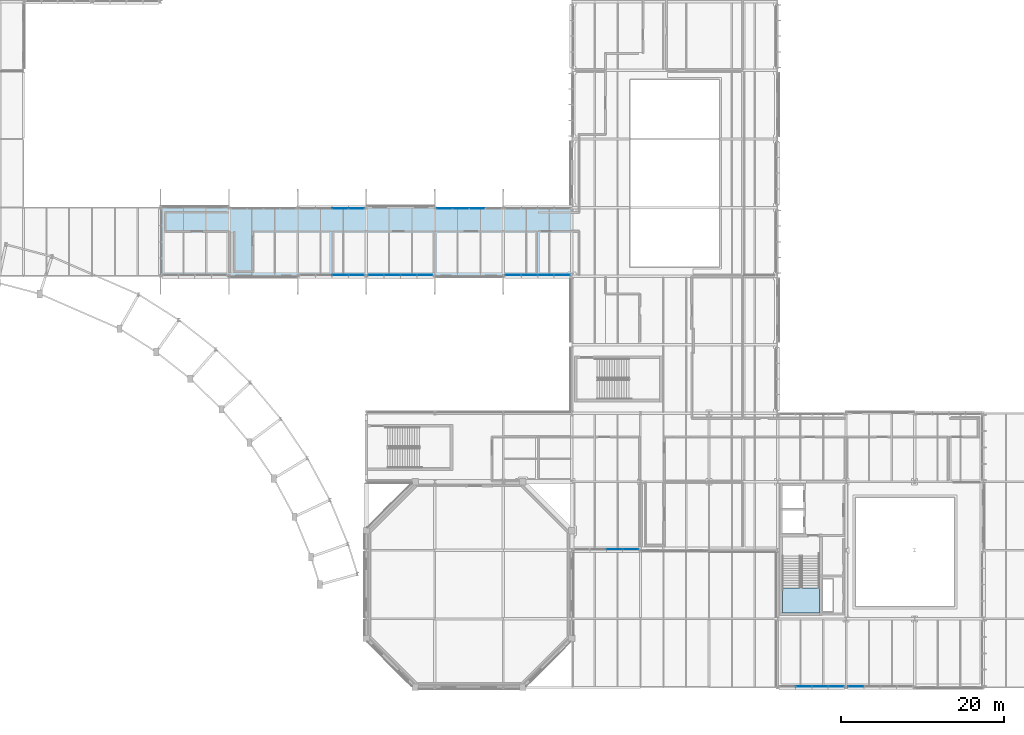
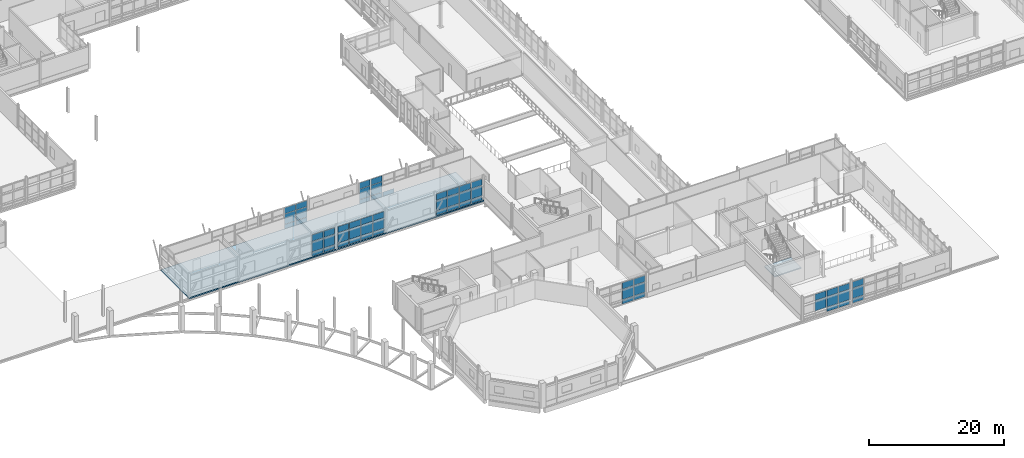
# One storey, part 82 of 129: 60 plates, 2 slabs, 9 elements without a shape of their own.
"""IFC4 building model written with IfcOpenShell, lengths in metres."""

from ifc_helpers import new_model, si_unit, direction, frame, origin, origin_2d, place, context, subcontext, project, spatial, polyline, rectangle, outline, extrude, material, layer, layer_set, type_object, element, aggregate, save


model = new_model("IFC4")

# Units and contexts
model_context = context("Model", 3, precision=1e-05, world=origin(), true_north=direction((0.0, 1.0)))
body_context = subcontext(model_context, "Body", "Model", "MODEL_VIEW")
ifc_project = project(units=[si_unit("LENGTHUNIT", "METRE"), si_unit("AREAUNIT", "SQUARE_METRE"), si_unit("VOLUMEUNIT", "CUBIC_METRE"), si_unit("PLANEANGLEUNIT", "RADIAN"), si_unit("MASSUNIT", "GRAM", prefix="KILO")], contexts=[model_context])

# Site, building, storey
site_placement = place(None, origin())
site = spatial("IfcSite", under=ifc_project, at=site_placement, CompositionType="ELEMENT")
building_placement = place(site_placement, origin())
building = spatial("IfcBuilding", under=site, at=building_placement, Name="Mersafa Astral City Hall", CompositionType="ELEMENT")
storey_placement = place(building_placement, frame((0.0, 0.0, 5.39990234375)))
storey = spatial("IfcBuildingStorey", under=building, at=storey_placement, Name="L01", CompositionType="ELEMENT", Elevation=5.39990234375)

# Curtain wall, plates
ifc_material_1 = material(Name="Anodised bronze aluminium framing", Category="aluminium")
curtain_wall_type_1 = type_object("IfcCurtainWallType", Name="ENV-CW-1", PredefinedType="USERDEFINED", material=ifc_material_1)
curtain_wall_1_placement = place(storey_placement, origin())
curtain_wall_1 = element("IfcCurtainWall", 1, at=curtain_wall_1_placement, inside=storey, type_object=curtain_wall_type_1, Name="L01 Unitised solar curtain wall 96", ObjectType="UNITISED CURTAIN WALL", PredefinedType="USERDEFINED")
ifc_material_2 = material(Name="Solar control low-e double glazing", Category="glass")
ifc_layer_1 = layer(ifc_material_2, 0.028076171875, Name="Solar control low-e double glazing")
ifc_layer_set_1 = layer_set([ifc_layer_1], Name="Solar control low-e double glazing — ENV-CW-PNL-GLZ-1")
plate_type_1 = type_object("IfcPlateType", Name="ENV-CW-PNL-GLZ-1", PredefinedType="CURTAIN_PANEL", material=ifc_layer_set_1)
plate_1_placement = place(storey_placement, frame((80.8095703125, 58.679931640625, 0.05810546875), z_axis=(0.0, 0.0, 1.0), x_axis=(-1.0, 0.0, 0.0)))
plate_1 = element("IfcPlate", 2, at=plate_1_placement, type_object=plate_type_1, Name="CW-1 panel 2.1", PredefinedType="CURTAIN_PANEL", context=body_context, shape_type="SweptSolid", body=[
    extrude(rectangle(XDim=1.89892578125, YDim=0.028076171875, at=origin_2d()), origin(), (0.0, 0.0, 1.0), 0.761962890625),
])
plate_2_placement = place(storey_placement, frame((78.79052734375, 58.679931640625, 0.05810546875), z_axis=(0.0, 0.0, 1.0), x_axis=(-1.0, 0.0, 0.0)))
plate_2 = element("IfcPlate", 3, at=plate_2_placement, type_object=plate_type_1, Name="CW-1 panel 3.1", PredefinedType="CURTAIN_PANEL", context=body_context, shape_type="SweptSolid", body=[
    extrude(rectangle(XDim=1.89892578125, YDim=0.028076171875, at=origin_2d()), origin(), (0.0, 0.0, 1.0), 0.761962890625),
])
plate_3_placement = place(storey_placement, frame((78.79052734375, 58.679931640625, 0.8798828125), z_axis=(0.0, 0.0, 1.0), x_axis=(-1.0, 0.0, 0.0)))
plate_3 = element("IfcPlate", 4, at=plate_3_placement, type_object=plate_type_1, Name="CW-1 panel 3.2", PredefinedType="CURTAIN_PANEL", context=body_context, shape_type="SweptSolid", body=[
    extrude(rectangle(XDim=1.89892578125, YDim=0.028076171875, at=origin_2d()), origin(), (0.0, 0.0, 1.0), 1.840087890625),
])
plate_4_placement = place(storey_placement, frame((78.79052734375, 58.679931640625, 2.7802734375), z_axis=(0.0, 0.0, 1.0), x_axis=(-1.0, 0.0, 0.0)))
plate_4 = element("IfcPlate", 5, at=plate_4_placement, type_object=plate_type_1, Name="CW-1 panel 3.3", PredefinedType="CURTAIN_PANEL", context=body_context, shape_type="SweptSolid", body=[
    extrude(rectangle(XDim=1.89892578125, YDim=0.028076171875, at=origin_2d()), origin(), (0.0, 0.0, 1.0), 1.096923828125),
])
plate_5_placement = place(storey_placement, frame((76.801513671875, 58.679931640625, 0.05810546875), z_axis=(0.0, 0.0, 1.0), x_axis=(-1.0, 0.0, 0.0)))
plate_5 = element("IfcPlate", 6, at=plate_5_placement, type_object=plate_type_1, Name="CW-1 panel 4.1", PredefinedType="CURTAIN_PANEL", context=body_context, shape_type="SweptSolid", body=[
    extrude(rectangle(XDim=1.839111328125, YDim=0.028076171875, at=origin_2d()), origin(), (0.0, 0.0, 1.0), 0.761962890625),
])
plate_6_placement = place(storey_placement, frame((76.801513671875, 58.679931640625, 0.8798828125), z_axis=(0.0, 0.0, 1.0), x_axis=(-1.0, 0.0, 0.0)))
plate_6 = element("IfcPlate", 7, at=plate_6_placement, type_object=plate_type_1, Name="CW-1 panel 4.2", PredefinedType="CURTAIN_PANEL", context=body_context, shape_type="SweptSolid", body=[
    extrude(rectangle(XDim=1.839111328125, YDim=0.028076171875, at=origin_2d()), origin(), (0.0, 0.0, 1.0), 1.840087890625),
])
plate_7_placement = place(storey_placement, frame((76.801513671875, 58.679931640625, 2.7802734375), z_axis=(0.0, 0.0, 1.0), x_axis=(-1.0, 0.0, 0.0)))
plate_7 = element("IfcPlate", 8, at=plate_7_placement, type_object=plate_type_1, Name="CW-1 panel 4.3", PredefinedType="CURTAIN_PANEL", context=body_context, shape_type="SweptSolid", body=[
    extrude(rectangle(XDim=1.839111328125, YDim=0.028076171875, at=origin_2d()), origin(), (0.0, 0.0, 1.0), 1.096923828125),
])
aggregate(curtain_wall_1, [plate_1, plate_2, plate_3, plate_4, plate_5, plate_6, plate_7])

curtain_wall_type_2 = type_object("IfcCurtainWallType", Name="ENV-CW-4", PredefinedType="USERDEFINED", material=ifc_material_1)
curtain_wall_2_placement = place(storey_placement, origin())
curtain_wall_2 = element("IfcCurtainWall", 9, at=curtain_wall_2_placement, inside=storey, type_object=curtain_wall_type_2, Name="L01 Unitised solar curtain wall 45", ObjectType="UNITISED CURTAIN WALL", PredefinedType="USERDEFINED")
ifc_layer_2 = layer(ifc_material_2, 0.031982421875, Name="Solar control low-e double glazing")
ifc_layer_set_2 = layer_set([ifc_layer_2], Name="Solar control low-e double glazing — ENV-CW-PNL-GLZ-2")
plate_type_2 = type_object("IfcPlateType", Name="ENV-CW-PNL-GLZ-2", PredefinedType="CURTAIN_PANEL", material=ifc_layer_set_2)
plate_8_placement = place(storey_placement, frame((97.609619140625, 16.919921875, 0.05810546875), z_axis=(0.0, 0.0, 1.0), x_axis=(1.0, 0.0, 0.0)))
plate_8 = element("IfcPlate", 10, at=plate_8_placement, type_object=plate_type_2, Name="CW-4 panel 3.1", PredefinedType="CURTAIN_PANEL", context=body_context, shape_type="SweptSolid", body=[
    extrude(rectangle(XDim=1.89892578125, YDim=0.031982421875, at=origin_2d()), origin(), (0.0, 0.0, 1.0), 0.761962890625),
])
plate_9_placement = place(storey_placement, frame((97.609619140625, 16.919921875, 0.8798828125), z_axis=(0.0, 0.0, 1.0), x_axis=(1.0, 0.0, 0.0)))
plate_9 = element("IfcPlate", 11, at=plate_9_placement, type_object=plate_type_2, Name="CW-4 panel 3.2", PredefinedType="CURTAIN_PANEL", context=body_context, shape_type="SweptSolid", body=[
    extrude(rectangle(XDim=1.89892578125, YDim=0.031982421875, at=origin_2d()), origin(), (0.0, 0.0, 1.0), 1.840087890625),
])
plate_10_placement = place(storey_placement, frame((97.609619140625, 16.919921875, 2.780029296875), z_axis=(0.0, 0.0, 1.0), x_axis=(1.0, 0.0, 0.0)))
plate_10 = element("IfcPlate", 12, at=plate_10_placement, type_object=plate_type_2, Name="CW-4 panel 3.3", PredefinedType="CURTAIN_PANEL", context=body_context, shape_type="SweptSolid", body=[
    extrude(rectangle(XDim=1.89892578125, YDim=0.031982421875, at=origin_2d()), origin(), (0.0, 0.0, 1.0), 1.126953125),
])
plate_11_placement = place(storey_placement, frame((99.598388671875, 16.919921875, 0.05810546875), z_axis=(0.0, 0.0, 1.0), x_axis=(1.0, 0.0, 0.0)))
plate_11 = element("IfcPlate", 13, at=plate_11_placement, type_object=plate_type_2, Name="CW-4 panel 4.1", PredefinedType="CURTAIN_PANEL", context=body_context, shape_type="SweptSolid", body=[
    extrude(rectangle(XDim=1.839111328125, YDim=0.031982421875, at=origin_2d()), origin(), (0.0, 0.0, 1.0), 0.761962890625),
])
plate_12_placement = place(storey_placement, frame((99.598388671875, 16.919921875, 0.8798828125), z_axis=(0.0, 0.0, 1.0), x_axis=(1.0, 0.0, 0.0)))
plate_12 = element("IfcPlate", 14, at=plate_12_placement, type_object=plate_type_2, Name="CW-4 panel 4.2", PredefinedType="CURTAIN_PANEL", context=body_context, shape_type="SweptSolid", body=[
    extrude(rectangle(XDim=1.839111328125, YDim=0.031982421875, at=origin_2d()), origin(), (0.0, 0.0, 1.0), 1.840087890625),
])
plate_13_placement = place(storey_placement, frame((99.598388671875, 16.919921875, 2.780029296875), z_axis=(0.0, 0.0, 1.0), x_axis=(1.0, 0.0, 0.0)))
plate_13 = element("IfcPlate", 15, at=plate_13_placement, type_object=plate_type_2, Name="CW-4 panel 4.3", PredefinedType="CURTAIN_PANEL", context=body_context, shape_type="SweptSolid", body=[
    extrude(rectangle(XDim=1.839111328125, YDim=0.031982421875, at=origin_2d()), origin(), (0.0, 0.0, 1.0), 1.126953125),
])
aggregate(curtain_wall_2, [plate_8, plate_9, plate_10, plate_11, plate_12, plate_13])

curtain_wall_type_3 = type_object("IfcCurtainWallType", Name="ENV-CW-2", PredefinedType="USERDEFINED", material=ifc_material_1)
curtain_wall_3_placement = place(storey_placement, origin())
curtain_wall_3 = element("IfcCurtainWall", 16, at=curtain_wall_3_placement, inside=storey, type_object=curtain_wall_type_3, Name="L01 Unitised solar curtain wall 97", ObjectType="UNITISED CURTAIN WALL", PredefinedType="USERDEFINED")
plate_14_placement = place(storey_placement, frame((65.99853515625, 58.679931640625, 0.05810546875), z_axis=(0.0, 0.0, 1.0), x_axis=(-1.0, 0.0, 0.0)))
plate_14 = element("IfcPlate", 17, at=plate_14_placement, type_object=plate_type_2, Name="CW-2 panel 1.1", PredefinedType="CURTAIN_PANEL", context=body_context, shape_type="SweptSolid", body=[
    extrude(rectangle(XDim=1.839111328125, YDim=0.031982421875, at=origin_2d()), origin(), (0.0, 0.0, 1.0), 0.761962890625),
])
plate_15_placement = place(storey_placement, frame((65.99853515625, 58.679931640625, 0.8798828125), z_axis=(0.0, 0.0, 1.0), x_axis=(-1.0, 0.0, 0.0)))
plate_15 = element("IfcPlate", 18, at=plate_15_placement, type_object=plate_type_2, Name="CW-2 panel 1.2", PredefinedType="CURTAIN_PANEL", context=body_context, shape_type="SweptSolid", body=[
    extrude(rectangle(XDim=1.839111328125, YDim=0.031982421875, at=origin_2d()), origin(), (0.0, 0.0, 1.0), 1.840087890625),
])
plate_16_placement = place(storey_placement, frame((65.99853515625, 58.679931640625, 2.7802734375), z_axis=(0.0, 0.0, 1.0), x_axis=(-1.0, 0.0, 0.0)))
plate_16 = element("IfcPlate", 19, at=plate_16_placement, type_object=plate_type_2, Name="CW-2 panel 1.3", PredefinedType="CURTAIN_PANEL", context=body_context, shape_type="SweptSolid", body=[
    extrude(rectangle(XDim=1.839111328125, YDim=0.031982421875, at=origin_2d()), origin(), (0.0, 0.0, 1.0), 1.096923828125),
])
plate_17_placement = place(storey_placement, frame((64.009521484375, 58.679931640625, 0.05810546875), z_axis=(0.0, 0.0, 1.0), x_axis=(-1.0, 0.0, 0.0)))
plate_17 = element("IfcPlate", 20, at=plate_17_placement, type_object=plate_type_2, Name="CW-2 panel 2.1", PredefinedType="CURTAIN_PANEL", context=body_context, shape_type="SweptSolid", body=[
    extrude(rectangle(XDim=1.89892578125, YDim=0.031982421875, at=origin_2d()), origin(), (0.0, 0.0, 1.0), 0.761962890625),
])
plate_18_placement = place(storey_placement, frame((64.009521484375, 58.679931640625, 0.8798828125), z_axis=(0.0, 0.0, 1.0), x_axis=(-1.0, 0.0, 0.0)))
plate_18 = element("IfcPlate", 21, at=plate_18_placement, type_object=plate_type_2, Name="CW-2 panel 2.2", PredefinedType="CURTAIN_PANEL", context=body_context, shape_type="SweptSolid", body=[
    extrude(rectangle(XDim=1.89892578125, YDim=0.031982421875, at=origin_2d()), origin(), (0.0, 0.0, 1.0), 1.840087890625),
])
plate_19_placement = place(storey_placement, frame((64.009521484375, 58.679931640625, 2.7802734375), z_axis=(0.0, 0.0, 1.0), x_axis=(-1.0, 0.0, 0.0)))
plate_19 = element("IfcPlate", 22, at=plate_19_placement, type_object=plate_type_2, Name="CW-2 panel 2.3", PredefinedType="CURTAIN_PANEL", context=body_context, shape_type="SweptSolid", body=[
    extrude(rectangle(XDim=1.89892578125, YDim=0.031982421875, at=origin_2d()), origin(), (0.0, 0.0, 1.0), 1.096923828125),
])
aggregate(curtain_wall_3, [plate_14, plate_15, plate_16, plate_17, plate_18, plate_19])

curtain_wall_type_4 = type_object("IfcCurtainWallType", Name="ENV-CW-6", PredefinedType="USERDEFINED", material=ifc_material_1)
curtain_wall_4_placement = place(storey_placement, origin())
curtain_wall_4 = element("IfcCurtainWall", 23, at=curtain_wall_4_placement, inside=storey, type_object=curtain_wall_type_4, Name="L01 Unitised solar curtain wall 101", ObjectType="UNITISED CURTAIN WALL", PredefinedType="USERDEFINED")
plate_20_placement = place(storey_placement, frame((64.009521484375, 50.52001953125, 0.05810546875), z_axis=(0.0, 0.0, 1.0), x_axis=(1.0, 0.0, 0.0)))
plate_20 = element("IfcPlate", 24, at=plate_20_placement, type_object=plate_type_2, Name="CW-6 panel 3.1", PredefinedType="CURTAIN_PANEL", context=body_context, shape_type="SweptSolid", body=[
    extrude(rectangle(XDim=1.89892578125, YDim=0.031982421875, at=origin_2d()), origin(), (0.0, 0.0, 1.0), 0.761962890625),
])
plate_21_placement = place(storey_placement, frame((64.009521484375, 50.52001953125, 0.8798828125), z_axis=(0.0, 0.0, 1.0), x_axis=(1.0, 0.0, 0.0)))
plate_21 = element("IfcPlate", 25, at=plate_21_placement, type_object=plate_type_2, Name="CW-6 panel 3.2", PredefinedType="CURTAIN_PANEL", context=body_context, shape_type="SweptSolid", body=[
    extrude(rectangle(XDim=1.89892578125, YDim=0.031982421875, at=origin_2d()), origin(), (0.0, 0.0, 1.0), 1.840087890625),
])
plate_22_placement = place(storey_placement, frame((64.009521484375, 50.52001953125, 2.780029296875), z_axis=(0.0, 0.0, 1.0), x_axis=(1.0, 0.0, 0.0)))
plate_22 = element("IfcPlate", 26, at=plate_22_placement, type_object=plate_type_2, Name="CW-6 panel 3.3", PredefinedType="CURTAIN_PANEL", context=body_context, shape_type="SweptSolid", body=[
    extrude(rectangle(XDim=1.89892578125, YDim=0.031982421875, at=origin_2d()), origin(), (0.0, 0.0, 1.0), 1.126953125),
])
plate_23_placement = place(storey_placement, frame((65.99853515625, 50.52001953125, 0.05810546875), z_axis=(0.0, 0.0, 1.0), x_axis=(1.0, 0.0, 0.0)))
plate_23 = element("IfcPlate", 27, at=plate_23_placement, type_object=plate_type_2, Name="CW-6 panel 4.1", PredefinedType="CURTAIN_PANEL", context=body_context, shape_type="SweptSolid", body=[
    extrude(rectangle(XDim=1.839111328125, YDim=0.031982421875, at=origin_2d()), origin(), (0.0, 0.0, 1.0), 0.761962890625),
])
plate_24_placement = place(storey_placement, frame((65.99853515625, 50.52001953125, 0.8798828125), z_axis=(0.0, 0.0, 1.0), x_axis=(1.0, 0.0, 0.0)))
plate_24 = element("IfcPlate", 28, at=plate_24_placement, type_object=plate_type_2, Name="CW-6 panel 4.2", PredefinedType="CURTAIN_PANEL", context=body_context, shape_type="SweptSolid", body=[
    extrude(rectangle(XDim=1.839111328125, YDim=0.031982421875, at=origin_2d()), origin(), (0.0, 0.0, 1.0), 1.840087890625),
])
plate_25_placement = place(storey_placement, frame((65.99853515625, 50.52001953125, 2.780029296875), z_axis=(0.0, 0.0, 1.0), x_axis=(1.0, 0.0, 0.0)))
plate_25 = element("IfcPlate", 29, at=plate_25_placement, type_object=plate_type_2, Name="CW-6 panel 4.3", PredefinedType="CURTAIN_PANEL", context=body_context, shape_type="SweptSolid", body=[
    extrude(rectangle(XDim=1.839111328125, YDim=0.031982421875, at=origin_2d()), origin(), (0.0, 0.0, 1.0), 1.126953125),
])
aggregate(curtain_wall_4, [plate_20, plate_21, plate_22, plate_23, plate_24, plate_25])

curtain_wall_type_5 = type_object("IfcCurtainWallType", Name="ENV-CW-5", PredefinedType="USERDEFINED", material=ifc_material_1)
curtain_wall_5_placement = place(storey_placement, origin())
curtain_wall_5 = element("IfcCurtainWall", 30, at=curtain_wall_5_placement, inside=storey, type_object=curtain_wall_type_5, Name="L01 Unitised solar curtain wall 46", ObjectType="UNITISED CURTAIN WALL", PredefinedType="USERDEFINED")
ifc_layer_3 = layer(ifc_material_2, 0.035888671875, Name="Solar control low-e double glazing")
ifc_layer_set_3 = layer_set([ifc_layer_3], Name="Solar control low-e double glazing — ENV-CW-PNL-GLZ-3")
plate_type_3 = type_object("IfcPlateType", Name="ENV-CW-PNL-GLZ-3", PredefinedType="CURTAIN_PANEL", material=ifc_layer_set_3)
plate_26_placement = place(storey_placement, frame((120.79052734375, 0.1201171875, 0.8798828125), z_axis=(0.0, 0.0, 1.0), x_axis=(1.0, 0.0, 0.0)))
plate_26 = element("IfcPlate", 31, at=plate_26_placement, type_object=plate_type_3, Name="CW-5 panel 2.2", PredefinedType="CURTAIN_PANEL", context=body_context, shape_type="SweptSolid", body=[
    extrude(rectangle(XDim=1.89892578125, YDim=0.035888671875, at=origin_2d()), origin(), (0.0, 0.0, 1.0), 1.840087890625),
])
plate_27_placement = place(storey_placement, frame((120.79052734375, 0.1201171875, 2.7802734375), z_axis=(0.0, 0.0, 1.0), x_axis=(1.0, 0.0, 0.0)))
plate_27 = element("IfcPlate", 32, at=plate_27_placement, type_object=plate_type_3, Name="CW-5 panel 2.3", PredefinedType="CURTAIN_PANEL", context=body_context, shape_type="SweptSolid", body=[
    extrude(rectangle(XDim=1.89892578125, YDim=0.035888671875, at=origin_2d()), origin(), (0.0, 0.0, 1.0), 1.096923828125),
])
plate_28_placement = place(storey_placement, frame((122.8095703125, 0.1201171875, 0.05810546875), z_axis=(0.0, 0.0, 1.0), x_axis=(1.0, 0.0, 0.0)))
plate_28 = element("IfcPlate", 33, at=plate_28_placement, type_object=plate_type_3, Name="CW-5 panel 3.1", PredefinedType="CURTAIN_PANEL", context=body_context, shape_type="SweptSolid", body=[
    extrude(rectangle(XDim=1.89892578125, YDim=0.035888671875, at=origin_2d()), origin(), (0.0, 0.0, 1.0), 0.761962890625),
])
plate_29_placement = place(storey_placement, frame((122.8095703125, 0.1201171875, 0.8798828125), z_axis=(0.0, 0.0, 1.0), x_axis=(1.0, 0.0, 0.0)))
plate_29 = element("IfcPlate", 34, at=plate_29_placement, type_object=plate_type_3, Name="CW-5 panel 3.2", PredefinedType="CURTAIN_PANEL", context=body_context, shape_type="SweptSolid", body=[
    extrude(rectangle(XDim=1.89892578125, YDim=0.035888671875, at=origin_2d()), origin(), (0.0, 0.0, 1.0), 1.840087890625),
])
plate_30_placement = place(storey_placement, frame((122.8095703125, 0.1201171875, 2.7802734375), z_axis=(0.0, 0.0, 1.0), x_axis=(1.0, 0.0, 0.0)))
plate_30 = element("IfcPlate", 35, at=plate_30_placement, type_object=plate_type_3, Name="CW-5 panel 3.3", PredefinedType="CURTAIN_PANEL", context=body_context, shape_type="SweptSolid", body=[
    extrude(rectangle(XDim=1.89892578125, YDim=0.035888671875, at=origin_2d()), origin(), (0.0, 0.0, 1.0), 1.096923828125),
])
plate_31_placement = place(storey_placement, frame((124.798583984375, 0.1201171875, 0.05810546875), z_axis=(0.0, 0.0, 1.0), x_axis=(1.0, 0.0, 0.0)))
plate_31 = element("IfcPlate", 36, at=plate_31_placement, type_object=plate_type_3, Name="CW-5 panel 4.1", PredefinedType="CURTAIN_PANEL", context=body_context, shape_type="SweptSolid", body=[
    extrude(rectangle(XDim=1.839111328125, YDim=0.035888671875, at=origin_2d()), origin(), (0.0, 0.0, 1.0), 0.761962890625),
])
plate_32_placement = place(storey_placement, frame((124.798583984375, 0.1201171875, 0.8798828125), z_axis=(0.0, 0.0, 1.0), x_axis=(1.0, 0.0, 0.0)))
plate_32 = element("IfcPlate", 37, at=plate_32_placement, type_object=plate_type_3, Name="CW-5 panel 4.2", PredefinedType="CURTAIN_PANEL", context=body_context, shape_type="SweptSolid", body=[
    extrude(rectangle(XDim=1.839111328125, YDim=0.035888671875, at=origin_2d()), origin(), (0.0, 0.0, 1.0), 1.840087890625),
])
plate_33_placement = place(storey_placement, frame((124.798583984375, 0.1201171875, 2.7802734375), z_axis=(0.0, 0.0, 1.0), x_axis=(1.0, 0.0, 0.0)))
plate_33 = element("IfcPlate", 38, at=plate_33_placement, type_object=plate_type_3, Name="CW-5 panel 4.3", PredefinedType="CURTAIN_PANEL", context=body_context, shape_type="SweptSolid", body=[
    extrude(rectangle(XDim=1.839111328125, YDim=0.035888671875, at=origin_2d()), origin(), (0.0, 0.0, 1.0), 1.096923828125),
])
aggregate(curtain_wall_5, [plate_26, plate_27, plate_28, plate_29, plate_30, plate_31, plate_32, plate_33])

curtain_wall_6_placement = place(storey_placement, origin())
curtain_wall_6 = element("IfcCurtainWall", 39, at=curtain_wall_6_placement, inside=storey, type_object=curtain_wall_type_1, Name="L01 Unitised solar curtain wall 102", ObjectType="UNITISED CURTAIN WALL", PredefinedType="USERDEFINED")
plate_34_placement = place(storey_placement, frame((68.401611328125, 50.52001953125, 0.05810546875), z_axis=(0.0, 0.0, 1.0), x_axis=(1.0, 0.0, 0.0)))
plate_34 = element("IfcPlate", 40, at=plate_34_placement, type_object=plate_type_3, Name="CW-1 panel 1.1", PredefinedType="CURTAIN_PANEL", context=body_context, shape_type="SweptSolid", body=[
    extrude(rectangle(XDim=1.839111328125, YDim=0.035888671875, at=origin_2d()), origin(), (0.0, 0.0, 1.0), 0.761962890625),
])
plate_35_placement = place(storey_placement, frame((68.401611328125, 50.52001953125, 0.8798828125), z_axis=(0.0, 0.0, 1.0), x_axis=(1.0, 0.0, 0.0)))
plate_35 = element("IfcPlate", 41, at=plate_35_placement, type_object=plate_type_3, Name="CW-1 panel 1.2", PredefinedType="CURTAIN_PANEL", context=body_context, shape_type="SweptSolid", body=[
    extrude(rectangle(XDim=1.839111328125, YDim=0.035888671875, at=origin_2d()), origin(), (0.0, 0.0, 1.0), 1.840087890625),
])
plate_36_placement = place(storey_placement, frame((68.401611328125, 50.52001953125, 2.7802734375), z_axis=(0.0, 0.0, 1.0), x_axis=(1.0, 0.0, 0.0)))
plate_36 = element("IfcPlate", 42, at=plate_36_placement, type_object=plate_type_3, Name="CW-1 panel 1.3", PredefinedType="CURTAIN_PANEL", context=body_context, shape_type="SweptSolid", body=[
    extrude(rectangle(XDim=1.839111328125, YDim=0.035888671875, at=origin_2d()), origin(), (0.0, 0.0, 1.0), 1.096923828125),
])
plate_37_placement = place(storey_placement, frame((70.390380859375, 50.52001953125, 0.05810546875), z_axis=(0.0, 0.0, 1.0), x_axis=(1.0, 0.0, 0.0)))
plate_37 = element("IfcPlate", 43, at=plate_37_placement, type_object=plate_type_3, Name="CW-1 panel 2.1", PredefinedType="CURTAIN_PANEL", context=body_context, shape_type="SweptSolid", body=[
    extrude(rectangle(XDim=1.89892578125, YDim=0.035888671875, at=origin_2d()), origin(), (0.0, 0.0, 1.0), 0.761962890625),
])
plate_38_placement = place(storey_placement, frame((70.390380859375, 50.52001953125, 0.8798828125), z_axis=(0.0, 0.0, 1.0), x_axis=(1.0, 0.0, 0.0)))
plate_38 = element("IfcPlate", 44, at=plate_38_placement, type_object=plate_type_3, Name="CW-1 panel 2.2", PredefinedType="CURTAIN_PANEL", context=body_context, shape_type="SweptSolid", body=[
    extrude(rectangle(XDim=1.89892578125, YDim=0.035888671875, at=origin_2d()), origin(), (0.0, 0.0, 1.0), 1.840087890625),
])
plate_39_placement = place(storey_placement, frame((70.390380859375, 50.52001953125, 2.7802734375), z_axis=(0.0, 0.0, 1.0), x_axis=(1.0, 0.0, 0.0)))
plate_39 = element("IfcPlate", 45, at=plate_39_placement, type_object=plate_type_3, Name="CW-1 panel 2.3", PredefinedType="CURTAIN_PANEL", context=body_context, shape_type="SweptSolid", body=[
    extrude(rectangle(XDim=1.89892578125, YDim=0.035888671875, at=origin_2d()), origin(), (0.0, 0.0, 1.0), 1.096923828125),
])
plate_40_placement = place(storey_placement, frame((72.409423828125, 50.52001953125, 0.05810546875), z_axis=(0.0, 0.0, 1.0), x_axis=(1.0, 0.0, 0.0)))
plate_40 = element("IfcPlate", 46, at=plate_40_placement, type_object=plate_type_3, Name="CW-1 panel 3.1", PredefinedType="CURTAIN_PANEL", context=body_context, shape_type="SweptSolid", body=[
    extrude(rectangle(XDim=1.89892578125, YDim=0.035888671875, at=origin_2d()), origin(), (0.0, 0.0, 1.0), 0.761962890625),
])
plate_41_placement = place(storey_placement, frame((72.409423828125, 50.52001953125, 0.8798828125), z_axis=(0.0, 0.0, 1.0), x_axis=(1.0, 0.0, 0.0)))
plate_41 = element("IfcPlate", 47, at=plate_41_placement, type_object=plate_type_3, Name="CW-1 panel 3.2", PredefinedType="CURTAIN_PANEL", context=body_context, shape_type="SweptSolid", body=[
    extrude(rectangle(XDim=1.89892578125, YDim=0.035888671875, at=origin_2d()), origin(), (0.0, 0.0, 1.0), 1.840087890625),
])
plate_42_placement = place(storey_placement, frame((72.409423828125, 50.52001953125, 2.7802734375), z_axis=(0.0, 0.0, 1.0), x_axis=(1.0, 0.0, 0.0)))
plate_42 = element("IfcPlate", 48, at=plate_42_placement, type_object=plate_type_3, Name="CW-1 panel 3.3", PredefinedType="CURTAIN_PANEL", context=body_context, shape_type="SweptSolid", body=[
    extrude(rectangle(XDim=1.89892578125, YDim=0.035888671875, at=origin_2d()), origin(), (0.0, 0.0, 1.0), 1.096923828125),
])
plate_43_placement = place(storey_placement, frame((74.3984375, 50.52001953125, 0.05810546875), z_axis=(0.0, 0.0, 1.0), x_axis=(1.0, 0.0, 0.0)))
plate_43 = element("IfcPlate", 49, at=plate_43_placement, type_object=plate_type_3, Name="CW-1 panel 4.1", PredefinedType="CURTAIN_PANEL", context=body_context, shape_type="SweptSolid", body=[
    extrude(rectangle(XDim=1.839111328125, YDim=0.035888671875, at=origin_2d()), origin(), (0.0, 0.0, 1.0), 0.761962890625),
])
plate_44_placement = place(storey_placement, frame((74.3984375, 50.52001953125, 0.8798828125), z_axis=(0.0, 0.0, 1.0), x_axis=(1.0, 0.0, 0.0)))
plate_44 = element("IfcPlate", 50, at=plate_44_placement, type_object=plate_type_3, Name="CW-1 panel 4.2", PredefinedType="CURTAIN_PANEL", context=body_context, shape_type="SweptSolid", body=[
    extrude(rectangle(XDim=1.839111328125, YDim=0.035888671875, at=origin_2d()), origin(), (0.0, 0.0, 1.0), 1.840087890625),
])
plate_45_placement = place(storey_placement, frame((74.3984375, 50.52001953125, 2.7802734375), z_axis=(0.0, 0.0, 1.0), x_axis=(1.0, 0.0, 0.0)))
plate_45 = element("IfcPlate", 51, at=plate_45_placement, type_object=plate_type_3, Name="CW-1 panel 4.3", PredefinedType="CURTAIN_PANEL", context=body_context, shape_type="SweptSolid", body=[
    extrude(rectangle(XDim=1.839111328125, YDim=0.035888671875, at=origin_2d()), origin(), (0.0, 0.0, 1.0), 1.096923828125),
])
aggregate(curtain_wall_6, [plate_34, plate_35, plate_36, plate_37, plate_38, plate_39, plate_40, plate_41, plate_42, plate_43, plate_44, plate_45])

curtain_wall_7_placement = place(storey_placement, origin())
curtain_wall_7 = element("IfcCurtainWall", 52, at=curtain_wall_7_placement, inside=storey, type_object=curtain_wall_type_4, Name="L01 Unitised solar curtain wall 47", ObjectType="UNITISED CURTAIN WALL", PredefinedType="USERDEFINED")
ifc_layer_4 = layer(ifc_material_2, 0.0400390625, Name="Solar control low-e double glazing")
ifc_layer_set_4 = layer_set([ifc_layer_4], Name="Solar control low-e double glazing — ENV-CW-PNL-GLZ-4")
plate_type_4 = type_object("IfcPlateType", Name="ENV-CW-PNL-GLZ-4", PredefinedType="CURTAIN_PANEL", material=ifc_layer_set_4)
plate_46_placement = place(storey_placement, frame((127.201416015625, 0.1201171875, 0.05810546875), z_axis=(0.0, 0.0, 1.0), x_axis=(1.0, 0.0, 0.0)))
plate_46 = element("IfcPlate", 53, at=plate_46_placement, type_object=plate_type_4, Name="CW-6 panel 1.1", PredefinedType="CURTAIN_PANEL", context=body_context, shape_type="SweptSolid", body=[
    extrude(rectangle(XDim=1.839111328125, YDim=0.0400390625, at=origin_2d()), origin(), (0.0, 0.0, 1.0), 0.761962890625),
])
plate_47_placement = place(storey_placement, frame((127.201416015625, 0.1201171875, 0.8798828125), z_axis=(0.0, 0.0, 1.0), x_axis=(1.0, 0.0, 0.0)))
plate_47 = element("IfcPlate", 54, at=plate_47_placement, type_object=plate_type_4, Name="CW-6 panel 1.2", PredefinedType="CURTAIN_PANEL", context=body_context, shape_type="SweptSolid", body=[
    extrude(rectangle(XDim=1.839111328125, YDim=0.0400390625, at=origin_2d()), origin(), (0.0, 0.0, 1.0), 1.840087890625),
])
plate_48_placement = place(storey_placement, frame((127.201416015625, 0.1201171875, 2.780029296875), z_axis=(0.0, 0.0, 1.0), x_axis=(1.0, 0.0, 0.0)))
plate_48 = element("IfcPlate", 55, at=plate_48_placement, type_object=plate_type_4, Name="CW-6 panel 1.3", PredefinedType="CURTAIN_PANEL", context=body_context, shape_type="SweptSolid", body=[
    extrude(rectangle(XDim=1.839111328125, YDim=0.0400390625, at=origin_2d()), origin(), (0.0, 0.0, 1.0), 1.126953125),
])
aggregate(curtain_wall_7, [plate_46, plate_47, plate_48])

curtain_wall_8_placement = place(storey_placement, origin())
curtain_wall_8 = element("IfcCurtainWall", 56, at=curtain_wall_8_placement, inside=storey, type_object=curtain_wall_type_3, Name="L01 Unitised solar curtain wall 103", ObjectType="UNITISED CURTAIN WALL", PredefinedType="USERDEFINED")
plate_49_placement = place(storey_placement, frame((85.201416015625, 50.52001953125, 0.05810546875), z_axis=(0.0, 0.0, 1.0), x_axis=(1.0, 0.0, 0.0)))
plate_49 = element("IfcPlate", 57, at=plate_49_placement, type_object=plate_type_4, Name="CW-2 panel 1.1", PredefinedType="CURTAIN_PANEL", context=body_context, shape_type="SweptSolid", body=[
    extrude(rectangle(XDim=1.839111328125, YDim=0.0400390625, at=origin_2d()), origin(), (0.0, 0.0, 1.0), 0.761962890625),
])
plate_50_placement = place(storey_placement, frame((85.201416015625, 50.52001953125, 0.8798828125), z_axis=(0.0, 0.0, 1.0), x_axis=(1.0, 0.0, 0.0)))
plate_50 = element("IfcPlate", 58, at=plate_50_placement, type_object=plate_type_4, Name="CW-2 panel 1.2", PredefinedType="CURTAIN_PANEL", context=body_context, shape_type="SweptSolid", body=[
    extrude(rectangle(XDim=1.839111328125, YDim=0.0400390625, at=origin_2d()), origin(), (0.0, 0.0, 1.0), 1.840087890625),
])
plate_51_placement = place(storey_placement, frame((85.201416015625, 50.52001953125, 2.7802734375), z_axis=(0.0, 0.0, 1.0), x_axis=(1.0, 0.0, 0.0)))
plate_51 = element("IfcPlate", 59, at=plate_51_placement, type_object=plate_type_4, Name="CW-2 panel 1.3", PredefinedType="CURTAIN_PANEL", context=body_context, shape_type="SweptSolid", body=[
    extrude(rectangle(XDim=1.839111328125, YDim=0.0400390625, at=origin_2d()), origin(), (0.0, 0.0, 1.0), 1.096923828125),
])
plate_52_placement = place(storey_placement, frame((87.1904296875, 50.52001953125, 0.05810546875), z_axis=(0.0, 0.0, 1.0), x_axis=(1.0, 0.0, 0.0)))
plate_52 = element("IfcPlate", 60, at=plate_52_placement, type_object=plate_type_4, Name="CW-2 panel 2.1", PredefinedType="CURTAIN_PANEL", context=body_context, shape_type="SweptSolid", body=[
    extrude(rectangle(XDim=1.89892578125, YDim=0.0400390625, at=origin_2d()), origin(), (0.0, 0.0, 1.0), 0.761962890625),
])
plate_53_placement = place(storey_placement, frame((87.1904296875, 50.52001953125, 0.8798828125), z_axis=(0.0, 0.0, 1.0), x_axis=(1.0, 0.0, 0.0)))
plate_53 = element("IfcPlate", 61, at=plate_53_placement, type_object=plate_type_4, Name="CW-2 panel 2.2", PredefinedType="CURTAIN_PANEL", context=body_context, shape_type="SweptSolid", body=[
    extrude(rectangle(XDim=1.89892578125, YDim=0.0400390625, at=origin_2d()), origin(), (0.0, 0.0, 1.0), 1.840087890625),
])
plate_54_placement = place(storey_placement, frame((87.1904296875, 50.52001953125, 2.7802734375), z_axis=(0.0, 0.0, 1.0), x_axis=(1.0, 0.0, 0.0)))
plate_54 = element("IfcPlate", 62, at=plate_54_placement, type_object=plate_type_4, Name="CW-2 panel 2.3", PredefinedType="CURTAIN_PANEL", context=body_context, shape_type="SweptSolid", body=[
    extrude(rectangle(XDim=1.89892578125, YDim=0.0400390625, at=origin_2d()), origin(), (0.0, 0.0, 1.0), 1.096923828125),
])
plate_55_placement = place(storey_placement, frame((89.20947265625, 50.52001953125, 0.05810546875), z_axis=(0.0, 0.0, 1.0), x_axis=(1.0, 0.0, 0.0)))
plate_55 = element("IfcPlate", 63, at=plate_55_placement, type_object=plate_type_4, Name="CW-2 panel 3.1", PredefinedType="CURTAIN_PANEL", context=body_context, shape_type="SweptSolid", body=[
    extrude(rectangle(XDim=1.89892578125, YDim=0.0400390625, at=origin_2d()), origin(), (0.0, 0.0, 1.0), 0.761962890625),
])
plate_56_placement = place(storey_placement, frame((89.20947265625, 50.52001953125, 0.8798828125), z_axis=(0.0, 0.0, 1.0), x_axis=(1.0, 0.0, 0.0)))
plate_56 = element("IfcPlate", 64, at=plate_56_placement, type_object=plate_type_4, Name="CW-2 panel 3.2", PredefinedType="CURTAIN_PANEL", context=body_context, shape_type="SweptSolid", body=[
    extrude(rectangle(XDim=1.89892578125, YDim=0.0400390625, at=origin_2d()), origin(), (0.0, 0.0, 1.0), 1.840087890625),
])
plate_57_placement = place(storey_placement, frame((89.20947265625, 50.52001953125, 2.7802734375), z_axis=(0.0, 0.0, 1.0), x_axis=(1.0, 0.0, 0.0)))
plate_57 = element("IfcPlate", 65, at=plate_57_placement, type_object=plate_type_4, Name="CW-2 panel 3.3", PredefinedType="CURTAIN_PANEL", context=body_context, shape_type="SweptSolid", body=[
    extrude(rectangle(XDim=1.89892578125, YDim=0.0400390625, at=origin_2d()), origin(), (0.0, 0.0, 1.0), 1.096923828125),
])
plate_58_placement = place(storey_placement, frame((91.198486328125, 50.52001953125, 0.05810546875), z_axis=(0.0, 0.0, 1.0), x_axis=(1.0, 0.0, 0.0)))
plate_58 = element("IfcPlate", 66, at=plate_58_placement, type_object=plate_type_4, Name="CW-2 panel 4.1", PredefinedType="CURTAIN_PANEL", context=body_context, shape_type="SweptSolid", body=[
    extrude(rectangle(XDim=1.839111328125, YDim=0.0400390625, at=origin_2d()), origin(), (0.0, 0.0, 1.0), 0.761962890625),
])
plate_59_placement = place(storey_placement, frame((91.198486328125, 50.52001953125, 0.8798828125), z_axis=(0.0, 0.0, 1.0), x_axis=(1.0, 0.0, 0.0)))
plate_59 = element("IfcPlate", 67, at=plate_59_placement, type_object=plate_type_4, Name="CW-2 panel 4.2", PredefinedType="CURTAIN_PANEL", context=body_context, shape_type="SweptSolid", body=[
    extrude(rectangle(XDim=1.839111328125, YDim=0.0400390625, at=origin_2d()), origin(), (0.0, 0.0, 1.0), 1.840087890625),
])
plate_60_placement = place(storey_placement, frame((91.198486328125, 50.52001953125, 2.7802734375), z_axis=(0.0, 0.0, 1.0), x_axis=(1.0, 0.0, 0.0)))
plate_60 = element("IfcPlate", 68, at=plate_60_placement, type_object=plate_type_4, Name="CW-2 panel 4.3", PredefinedType="CURTAIN_PANEL", context=body_context, shape_type="SweptSolid", body=[
    extrude(rectangle(XDim=1.839111328125, YDim=0.0400390625, at=origin_2d()), origin(), (0.0, 0.0, 1.0), 1.096923828125),
])
aggregate(curtain_wall_8, [plate_49, plate_50, plate_51, plate_52, plate_53, plate_54, plate_55, plate_56, plate_57, plate_58, plate_59, plate_60])

# Stair, slab
ifc_material_3 = material(Name="Concrete C40/50", Category="concrete")
stair_type = type_object("IfcStairType", Name="STAIR", PredefinedType="HALF_TURN_STAIR", material=ifc_material_3)
stair_placement = place(storey_placement, origin())
stair = element("IfcStair", 69, at=stair_placement, inside=storey, type_object=stair_type, Name="L01 Protected Exit Stair ST5", PredefinedType="HALF_TURN_STAIR")
ifc_layer_5 = layer(ifc_material_3, 0.199951171875, Name="Concrete C40/50")
ifc_layer_set_5 = layer_set([ifc_layer_5], Name="Concrete C40/50 — STAIR-LANDING")
slab_type_1 = type_object("IfcSlabType", Name="STAIR-LANDING", PredefinedType="LANDING", material=ifc_layer_set_5)
slab_1_placement = place(storey_placement, frame((0.0, 0.0, 2.050048828125)))
slab_1 = element("IfcSlab", 70, at=slab_1_placement, type_object=slab_type_1, Name="ST5 landing 1", PredefinedType="LANDING", context=body_context, shape_type="SweptSolid", body=[
    extrude(outline(polyline([(118.179931640625, 12.199951171875), (118.179931640625, 9.14990234375), (122.739990234375, 9.14990234375), (122.739990234375, 12.199951171875), (118.179931640625, 12.199951171875)])), origin(), (0.0, 0.0, 1.0), 0.199951171875),
])
aggregate(stair, [slab_1])

# Slab
ifc_material_4 = material(Name="Concrete C35/45", Category="concrete")
ifc_layer_6 = layer(ifc_material_4, 0.22509765625, Name="Concrete C35/45")
ifc_layer_set_6 = layer_set([ifc_layer_6], Name="Concrete C35/45 — STR-SLAB-FLR-225")
slab_type_2 = type_object("IfcSlabType", Name="STR-SLAB-FLR-225", PredefinedType="FLOOR", material=ifc_layer_set_6)
slab_2_placement = place(storey_placement, frame((0.0, 0.0, -0.224853515625)))
element("IfcSlab", 71, at=slab_2_placement, inside=storey, type_object=slab_type_2, Name="L01 V4 structural floor slab 2", PredefinedType="FLOOR", context=body_context, shape_type="SweptSolid", body=[
    extrude(outline(polyline([(67.199951171875, 58.800048828125), (75.60009765625, 58.800048828125), (84.0, 58.800048828125), (92.39990234375, 58.800048828125), (92.39990234375, 50.39990234375), (84.0, 50.39990234375), (75.60009765625, 50.39990234375), (67.199951171875, 50.39990234375), (58.800048828125, 50.39990234375), (50.39990234375, 50.39990234375), (42.0, 50.39990234375), (42.0, 58.800048828125), (50.39990234375, 58.800048828125), (58.800048828125, 58.800048828125), (67.199951171875, 58.800048828125)])), origin(), (0.0, 0.0, 1.0), 0.224853515625),
])

save(model, "model.ifc")
